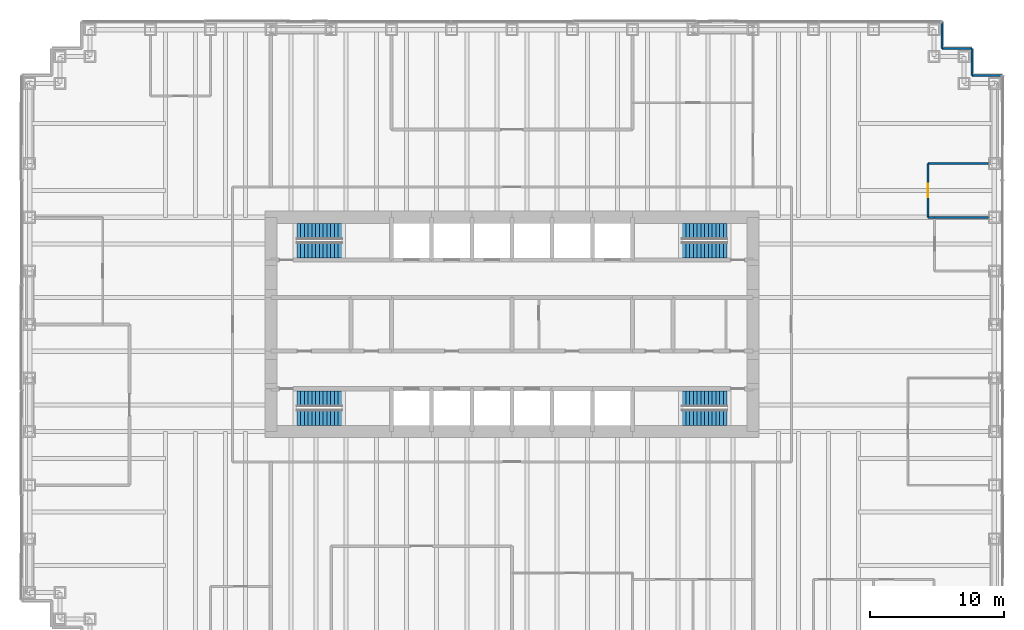
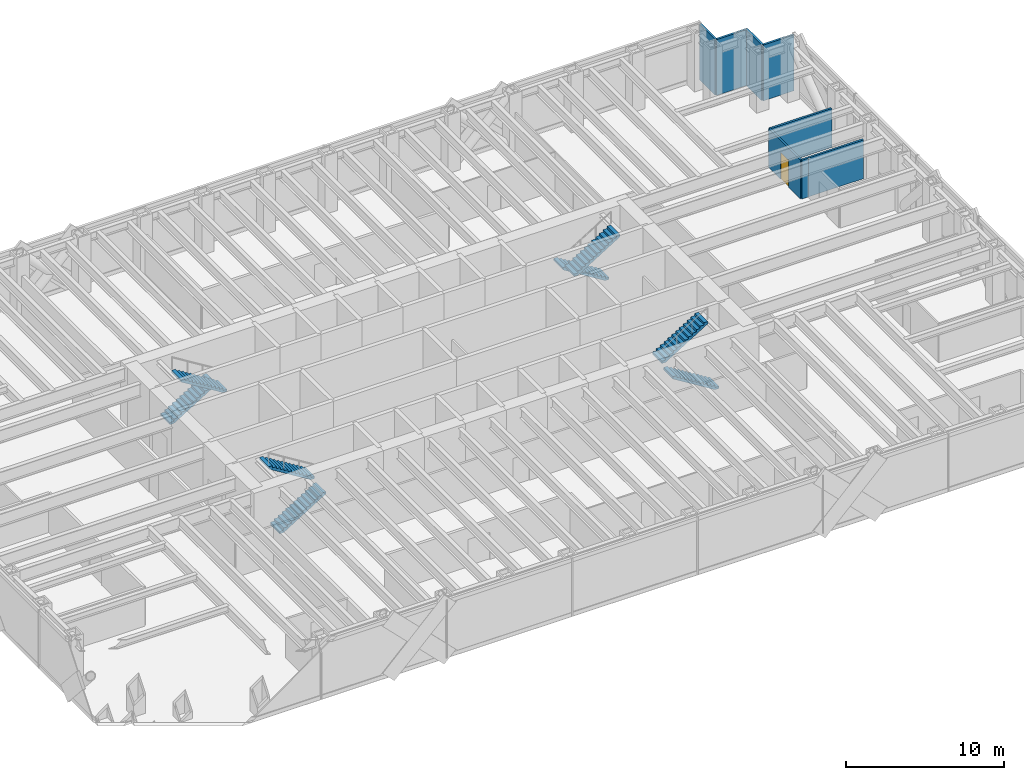
# One storey, part 12 of 13: 8 stair flights, 8 walls, 1 door, 1 opening, 4 elements without a shape of their own.
"""IFC4 building model written with IfcOpenShell, lengths in metres."""

from ifc_helpers import new_model, si_unit, direction, frame, frame_2d, origin, place, context, subcontext, project, spatial, polyline, rectangle, outline, extrude, material, layer, layer_set, type_object, element, fill, aggregate, save


model = new_model("IFC4")

# Units and contexts
model_context = context("Model", 3, precision=1e-05, world=origin(), true_north=direction((0.0, 1.0)))
body_context = subcontext(model_context, "Body", "Model", "MODEL_VIEW")
ifc_project = project(units=[si_unit("LENGTHUNIT", "METRE"), si_unit("AREAUNIT", "SQUARE_METRE"), si_unit("VOLUMEUNIT", "CUBIC_METRE"), si_unit("PLANEANGLEUNIT", "RADIAN"), si_unit("MASSUNIT", "GRAM", prefix="KILO")], contexts=[model_context])

# Site, building, storey
site_placement = place(None, origin())
site = spatial("IfcSite", under=ifc_project, at=site_placement, CompositionType="ELEMENT")
building_placement = place(site_placement, origin())
building = spatial("IfcBuilding", under=site, at=building_placement, Name="Rheinbord Bourse Tower", CompositionType="ELEMENT")
storey_placement = place(building_placement, frame((0.0, 0.0, 77.0)))
storey = spatial("IfcBuildingStorey", under=building, at=storey_placement, Name="L16", CompositionType="ELEMENT", Elevation=77.0)

# Walls
ifc_material_1 = material(Name="Black metal rainscreen panel", Category="aluminium")
ifc_layer_1 = layer(ifc_material_1, 0.14990234375)
ifc_layer_set_1 = layer_set([ifc_layer_1], Name="CORNER PIER CLADDING 150")
wall_type_1 = type_object("IfcWallType", Name="CORNER PIER CLADDING 150", PredefinedType="ELEMENTEDWALL", material=ifc_layer_set_1)
wall_1_placement = place(storey_placement, frame((72.60009765625, 42.60009765625, 0.0), z_axis=(0.0, 0.0, 1.0), x_axis=(-1.0, 0.0, 0.0)))
element("IfcWall", 1, at=wall_1_placement, inside=storey, type_object=wall_type_1, Name="Corner pier cladding L16 7", PredefinedType="ELEMENTEDWALL", context=body_context, shape_type="SweptSolid", body=[
    extrude(rectangle(XDim=2.25, YDim=0.14990234375, at=frame_2d((1.125, 0.0))), origin(), (0.0, 0.0, 1.0), 4.320068359375),
])
wall_2_placement = place(storey_placement, frame((70.35009765625, 42.60009765625, 0.0), z_axis=(0.0, 0.0, 1.0), x_axis=(0.0, 1.0, 0.0)))
element("IfcWall", 2, at=wall_2_placement, inside=storey, type_object=wall_type_1, Name="Corner pier cladding L16 8", PredefinedType="ELEMENTEDWALL", context=body_context, shape_type="SweptSolid", body=[
    extrude(rectangle(XDim=2.0, YDim=0.14990234375, at=frame_2d((1.0, 0.0))), origin(), (0.0, 0.0, 1.0), 4.320068359375),
])
wall_3_placement = place(storey_placement, frame((70.35009765625, 44.60009765625, 0.0), z_axis=(0.0, 0.0, 1.0), x_axis=(-1.0, 0.0, 0.0)))
element("IfcWall", 3, at=wall_3_placement, inside=storey, type_object=wall_type_1, Name="Corner pier cladding L16 9", PredefinedType="ELEMENTEDWALL", context=body_context, shape_type="SweptSolid", body=[
    extrude(rectangle(XDim=2.25, YDim=0.14990234375, at=frame_2d((1.125, 0.0))), origin(), (0.0, 0.0, 1.0), 4.320068359375),
])
wall_4_placement = place(storey_placement, frame((68.10009765625, 44.60009765625, 0.0), z_axis=(0.0, 0.0, 1.0), x_axis=(0.0, 1.0, 0.0)))
element("IfcWall", 4, at=wall_4_placement, inside=storey, type_object=wall_type_1, Name="Corner pier cladding L16 10", PredefinedType="ELEMENTEDWALL", context=body_context, shape_type="SweptSolid", body=[
    extrude(rectangle(XDim=2.0, YDim=0.14990234375, at=frame_2d((1.0, 0.0))), origin(), (0.0, 0.0, 1.0), 4.320068359375),
])
ifc_material_2 = material(Name="Gypsum board fire partition", Category="gypsum board")
ifc_layer_2 = layer(ifc_material_2, 0.14990234375)
ifc_layer_set_2 = layer_set([ifc_layer_2], Name="FIRE PARTITION 150 EI60")
wall_type_2 = type_object("IfcWallType", Name="FIRE PARTITION 150 EI60", PredefinedType="PARTITIONING", material=ifc_layer_set_2)
wall_5_placement = place(storey_placement, frame((67.550048828125, 32.0, 0.0), z_axis=(0.0, 0.0, 1.0), x_axis=(1.0, 0.0, 0.0)))
element("IfcWall", 5, at=wall_5_placement, inside=storey, type_object=wall_type_2, Name="Partition L16-15", PredefinedType="PARTITIONING", context=body_context, shape_type="SweptSolid", body=[
    extrude(rectangle(XDim=4.0, YDim=0.14990234375, at=frame_2d((2.0, 0.0))), origin(), (0.0, 0.0, 1.0), 3.0),
])
ifc_material_3 = material(Name="Gypsum board partition", Category="gypsum board")
ifc_layer_3 = layer(ifc_material_3, 0.14990234375)
ifc_layer_set_3 = layer_set([ifc_layer_3], Name="PARTITION 150")
wall_type_3 = type_object("IfcWallType", Name="PARTITION 150", PredefinedType="PARTITIONING", material=ifc_layer_set_3)
wall_6_placement = place(storey_placement, frame((67.050048828125, 32.0, 0.0), z_axis=(0.0, 0.0, 1.0), x_axis=(1.0, 0.0, 0.0)))
element("IfcWall", 6, at=wall_6_placement, inside=storey, type_object=wall_type_3, Name="Partition L16-14", PredefinedType="PARTITIONING", context=body_context, shape_type="SweptSolid", body=[
    extrude(rectangle(XDim=0.5, YDim=0.14990234375, at=frame_2d((0.25, 0.0))), origin(), (0.0, 0.0, 1.0), 3.0),
])
wall_7_placement = place(storey_placement, frame((67.050048828125, 36.0, 0.0), z_axis=(0.0, 0.0, 1.0), x_axis=(1.0, 0.0, 0.0)))
element("IfcWall", 7, at=wall_7_placement, inside=storey, type_object=wall_type_3, Name="Partition L16-17", PredefinedType="PARTITIONING", context=body_context, shape_type="SweptSolid", body=[
    extrude(rectangle(XDim=4.5, YDim=0.14990234375, at=frame_2d((2.25, 0.0))), origin(), (0.0, 0.0, 1.0), 3.0),
])

# Wall, opening, door
wall_8_placement = place(storey_placement, frame((67.050048828125, 32.0, 0.0), z_axis=(0.0, 0.0, 1.0), x_axis=(0.0, 1.0, 0.0)))
wall_8 = element("IfcWall", 8, at=wall_8_placement, inside=storey, type_object=wall_type_3, Name="Partition L16-42", PredefinedType="PARTITIONING", context=body_context, shape_type="SweptSolid", body=[
    extrude(rectangle(XDim=4.0, YDim=0.14990234375, at=frame_2d((2.0, 0.0))), origin(), (0.0, 0.0, 1.0), 3.0),
])
opening_placement = place(wall_8_placement, frame((1.5, 0.0, 0.0)))
opening = element("IfcOpeningElement", 9, at=opening_placement, cuts=wall_8, Name="Opening 16D12", PredefinedType="OPENING", context=body_context, shape_type="SweptSolid", body=[
    extrude(rectangle(XDim=1.0, YDim=2.10009765625, at=frame_2d((0.5, 1.050048828125))), frame((0.0, 0.0849609375, 0.0), z_axis=(0.0, -1.0, 0.0), x_axis=(1.0, 0.0, 0.0)), (0.0, 0.0, 1.0), 0.169921875),
])
ifc_material_4 = material(Name="Timber door", Category="wood")
door_type = type_object("IfcDoorType", Name="ROOM DOOR 1000", OperationType="SINGLE_SWING_LEFT", PredefinedType="DOOR", material=ifc_material_4)
door_placement = place(opening_placement, origin())
door = element("IfcDoor", 10, at=door_placement, inside=storey, type_object=door_type, Name="Pantry door L16", OperationType="SINGLE_SWING_LEFT", OverallHeight=2.10009765625, OverallWidth=1.0, PredefinedType="DOOR", context=body_context, shape_type="SweptSolid", body=[
    extrude(rectangle(XDim=1.0, YDim=2.10009765625, at=frame_2d((0.5, 1.050048828125))), frame((0.0, 0.02490234375, 0.0), z_axis=(0.0, -1.0, 0.0), x_axis=(1.0, 0.0, 0.0)), (0.0, 0.0, 1.0), 0.050048828125),
])
fill(opening, door)

# Stair, stair flights
ifc_material_5 = material(Name="Concrete C30/37", Category="concrete")
stair_type = type_object("IfcStairType", Name="CORE STAIR HALF TURN 4500", PredefinedType="HALF_TURN_STAIR", material=ifc_material_5)
stair_1_placement = place(storey_placement, origin())
stair_1 = element("IfcStair", 11, at=stair_1_placement, inside=storey, type_object=stair_type, Name="Stair ST1 L16, type CS4", PredefinedType="HALF_TURN_STAIR")
ifc_material_6 = material(Name="Concrete C30/37", Category="concrete")
stair_flight_type = type_object("IfcStairFlightType", Name="CORE STAIR FLIGHT 1200, 13 RISERS", PredefinedType="STRAIGHT", material=ifc_material_6)
stair_flight_1_placement = place(storey_placement, frame((19.949951171875, 17.050048828125, 0.0), z_axis=(0.0, 0.0, 1.0), x_axis=(1.0, 0.0, 0.0)))
stair_flight_1 = element("IfcStairFlight", 12, at=stair_flight_1_placement, type_object=stair_flight_type, Name="STAIR L16 ST1 F1", NumberOfRisers=13, NumberOfTreads=12, PredefinedType="STRAIGHT", RiserHeight=0.173076923, TreadLength=0.28, context=body_context, shape_type="SweptSolid", body=[
    extrude(outline(polyline([(0.0, 0.0), (0.0, 0.173095703125), (0.280029296875, 0.173095703125), (0.280029296875, 0.34619140625), (0.56005859375, 0.34619140625), (0.56005859375, 0.519287109375), (0.840087890625, 0.519287109375), (0.840087890625, 0.6923828125), (1.1201171875, 0.6923828125), (1.1201171875, 0.865478515625), (1.39990234375, 0.865478515625), (1.39990234375, 1.03857421875), (1.679931640625, 1.03857421875), (1.679931640625, 1.21142578125), (1.9599609375, 1.21142578125), (1.9599609375, 1.384521484375), (2.239990234375, 1.384521484375), (2.239990234375, 1.5576171875), (2.52001953125, 1.5576171875), (2.52001953125, 1.730712890625), (2.800048828125, 1.730712890625), (2.800048828125, 1.90380859375), (3.080078125, 1.90380859375), (3.080078125, 2.076904296875), (3.360107421875, 2.076904296875), (3.360107421875, 2.25), (3.360107421875, 1.900634765625), (0.28515625, 0.0), (0.0, 0.0)])), frame((0.0, 0.60009765625, 0.0), z_axis=(0.0, -1.0, 0.0), x_axis=(1.0, 0.0, 0.0)), (0.0, 0.0, 1.0), 1.199951171875),
])
stair_flight_2_placement = place(storey_placement, frame((23.31005859375, 18.449951171875, 2.25), z_axis=(0.0, 0.0, 1.0), x_axis=(-1.0, 0.0, 0.0)))
stair_flight_2 = element("IfcStairFlight", 13, at=stair_flight_2_placement, type_object=stair_flight_type, Name="STAIR L16 ST1 F2", NumberOfRisers=13, NumberOfTreads=12, PredefinedType="STRAIGHT", RiserHeight=0.173076923, TreadLength=0.28, context=body_context, shape_type="SweptSolid", body=[
    extrude(outline(polyline([(0.0, 0.0), (0.0, 0.173095703125), (0.280029296875, 0.173095703125), (0.280029296875, 0.34619140625), (0.56005859375, 0.34619140625), (0.56005859375, 0.519287109375), (0.840087890625, 0.519287109375), (0.840087890625, 0.6923828125), (1.1201171875, 0.6923828125), (1.1201171875, 0.865478515625), (1.39990234375, 0.865478515625), (1.39990234375, 1.03857421875), (1.679931640625, 1.03857421875), (1.679931640625, 1.21142578125), (1.9599609375, 1.21142578125), (1.9599609375, 1.384521484375), (2.239990234375, 1.384521484375), (2.239990234375, 1.5576171875), (2.52001953125, 1.5576171875), (2.52001953125, 1.730712890625), (2.800048828125, 1.730712890625), (2.800048828125, 1.90380859375), (3.080078125, 1.90380859375), (3.080078125, 2.076904296875), (3.360107421875, 2.076904296875), (3.360107421875, 2.25), (3.360107421875, 1.900634765625), (0.28515625, 0.0), (0.0, 0.0)])), frame((0.0, 0.60009765625, 0.0), z_axis=(0.0, -1.0, 0.0), x_axis=(1.0, 0.0, 0.0)), (0.0, 0.0, 1.0), 1.199951171875),
])
aggregate(stair_1, [stair_flight_1, stair_flight_2])

stair_2_placement = place(storey_placement, origin())
stair_2 = element("IfcStair", 14, at=stair_2_placement, inside=storey, type_object=stair_type, Name="Stair ST2 L16, type CS4", PredefinedType="HALF_TURN_STAIR")
stair_flight_3_placement = place(storey_placement, frame((19.949951171875, 30.949951171875, 0.0), z_axis=(0.0, 0.0, 1.0), x_axis=(1.0, 0.0, 0.0)))
stair_flight_3 = element("IfcStairFlight", 15, at=stair_flight_3_placement, type_object=stair_flight_type, Name="STAIR L16 ST2 F1", NumberOfRisers=13, NumberOfTreads=12, PredefinedType="STRAIGHT", RiserHeight=0.173076923, TreadLength=0.28, context=body_context, shape_type="SweptSolid", body=[
    extrude(outline(polyline([(0.0, 0.0), (0.0, 0.173095703125), (0.280029296875, 0.173095703125), (0.280029296875, 0.34619140625), (0.56005859375, 0.34619140625), (0.56005859375, 0.519287109375), (0.840087890625, 0.519287109375), (0.840087890625, 0.6923828125), (1.1201171875, 0.6923828125), (1.1201171875, 0.865478515625), (1.39990234375, 0.865478515625), (1.39990234375, 1.03857421875), (1.679931640625, 1.03857421875), (1.679931640625, 1.21142578125), (1.9599609375, 1.21142578125), (1.9599609375, 1.384521484375), (2.239990234375, 1.384521484375), (2.239990234375, 1.5576171875), (2.52001953125, 1.5576171875), (2.52001953125, 1.730712890625), (2.800048828125, 1.730712890625), (2.800048828125, 1.90380859375), (3.080078125, 1.90380859375), (3.080078125, 2.076904296875), (3.360107421875, 2.076904296875), (3.360107421875, 2.25), (3.360107421875, 1.900634765625), (0.28515625, 0.0), (0.0, 0.0)])), frame((0.0, 0.60009765625, 0.0), z_axis=(0.0, -1.0, 0.0), x_axis=(1.0, 0.0, 0.0)), (0.0, 0.0, 1.0), 1.199951171875),
])
stair_flight_4_placement = place(storey_placement, frame((23.31005859375, 29.550048828125, 2.25), z_axis=(0.0, 0.0, 1.0), x_axis=(-1.0, 0.0, 0.0)))
stair_flight_4 = element("IfcStairFlight", 16, at=stair_flight_4_placement, type_object=stair_flight_type, Name="STAIR L16 ST2 F2", NumberOfRisers=13, NumberOfTreads=12, PredefinedType="STRAIGHT", RiserHeight=0.173076923, TreadLength=0.28, context=body_context, shape_type="SweptSolid", body=[
    extrude(outline(polyline([(0.0, 0.0), (0.0, 0.173095703125), (0.280029296875, 0.173095703125), (0.280029296875, 0.34619140625), (0.56005859375, 0.34619140625), (0.56005859375, 0.519287109375), (0.840087890625, 0.519287109375), (0.840087890625, 0.6923828125), (1.1201171875, 0.6923828125), (1.1201171875, 0.865478515625), (1.39990234375, 0.865478515625), (1.39990234375, 1.03857421875), (1.679931640625, 1.03857421875), (1.679931640625, 1.21142578125), (1.9599609375, 1.21142578125), (1.9599609375, 1.384521484375), (2.239990234375, 1.384521484375), (2.239990234375, 1.5576171875), (2.52001953125, 1.5576171875), (2.52001953125, 1.730712890625), (2.800048828125, 1.730712890625), (2.800048828125, 1.90380859375), (3.080078125, 1.90380859375), (3.080078125, 2.076904296875), (3.360107421875, 2.076904296875), (3.360107421875, 2.25), (3.360107421875, 1.900634765625), (0.28515625, 0.0), (0.0, 0.0)])), frame((0.0, 0.60009765625, 0.0), z_axis=(0.0, -1.0, 0.0), x_axis=(1.0, 0.0, 0.0)), (0.0, 0.0, 1.0), 1.199951171875),
])
aggregate(stair_2, [stair_flight_3, stair_flight_4])

stair_3_placement = place(storey_placement, origin())
stair_3 = element("IfcStair", 17, at=stair_3_placement, inside=storey, type_object=stair_type, Name="Stair ST3 L16, type CS4", PredefinedType="HALF_TURN_STAIR")
stair_flight_5_placement = place(storey_placement, frame((52.050048828125, 17.050048828125, 0.0), z_axis=(0.0, 0.0, 1.0), x_axis=(-1.0, 0.0, 0.0)))
stair_flight_5 = element("IfcStairFlight", 18, at=stair_flight_5_placement, type_object=stair_flight_type, Name="STAIR L16 ST3 F1", NumberOfRisers=13, NumberOfTreads=12, PredefinedType="STRAIGHT", RiserHeight=0.173076923, TreadLength=0.28, context=body_context, shape_type="SweptSolid", body=[
    extrude(outline(polyline([(0.0, 0.0), (0.0, 0.173095703125), (0.280029296875, 0.173095703125), (0.280029296875, 0.34619140625), (0.56005859375, 0.34619140625), (0.56005859375, 0.519287109375), (0.840087890625, 0.519287109375), (0.840087890625, 0.6923828125), (1.1201171875, 0.6923828125), (1.1201171875, 0.865478515625), (1.39990234375, 0.865478515625), (1.39990234375, 1.03857421875), (1.679931640625, 1.03857421875), (1.679931640625, 1.21142578125), (1.9599609375, 1.21142578125), (1.9599609375, 1.384521484375), (2.239990234375, 1.384521484375), (2.239990234375, 1.5576171875), (2.52001953125, 1.5576171875), (2.52001953125, 1.730712890625), (2.800048828125, 1.730712890625), (2.800048828125, 1.90380859375), (3.080078125, 1.90380859375), (3.080078125, 2.076904296875), (3.360107421875, 2.076904296875), (3.360107421875, 2.25), (3.360107421875, 1.900634765625), (0.28515625, 0.0), (0.0, 0.0)])), frame((0.0, 0.60009765625, 0.0), z_axis=(0.0, -1.0, 0.0), x_axis=(1.0, 0.0, 0.0)), (0.0, 0.0, 1.0), 1.199951171875),
])
stair_flight_6_placement = place(storey_placement, frame((48.68994140625, 18.449951171875, 2.25), z_axis=(0.0, 0.0, 1.0), x_axis=(1.0, 0.0, 0.0)))
stair_flight_6 = element("IfcStairFlight", 19, at=stair_flight_6_placement, type_object=stair_flight_type, Name="STAIR L16 ST3 F2", NumberOfRisers=13, NumberOfTreads=12, PredefinedType="STRAIGHT", RiserHeight=0.173076923, TreadLength=0.28, context=body_context, shape_type="SweptSolid", body=[
    extrude(outline(polyline([(0.0, 0.0), (0.0, 0.173095703125), (0.280029296875, 0.173095703125), (0.280029296875, 0.34619140625), (0.56005859375, 0.34619140625), (0.56005859375, 0.519287109375), (0.840087890625, 0.519287109375), (0.840087890625, 0.6923828125), (1.1201171875, 0.6923828125), (1.1201171875, 0.865478515625), (1.39990234375, 0.865478515625), (1.39990234375, 1.03857421875), (1.679931640625, 1.03857421875), (1.679931640625, 1.21142578125), (1.9599609375, 1.21142578125), (1.9599609375, 1.384521484375), (2.239990234375, 1.384521484375), (2.239990234375, 1.5576171875), (2.52001953125, 1.5576171875), (2.52001953125, 1.730712890625), (2.800048828125, 1.730712890625), (2.800048828125, 1.90380859375), (3.080078125, 1.90380859375), (3.080078125, 2.076904296875), (3.360107421875, 2.076904296875), (3.360107421875, 2.25), (3.360107421875, 1.900634765625), (0.28515625, 0.0), (0.0, 0.0)])), frame((0.0, 0.60009765625, 0.0), z_axis=(0.0, -1.0, 0.0), x_axis=(1.0, 0.0, 0.0)), (0.0, 0.0, 1.0), 1.199951171875),
])
aggregate(stair_3, [stair_flight_5, stair_flight_6])

stair_4_placement = place(storey_placement, origin())
stair_4 = element("IfcStair", 20, at=stair_4_placement, inside=storey, type_object=stair_type, Name="Stair ST4 L16, type CS4", PredefinedType="HALF_TURN_STAIR")
stair_flight_7_placement = place(storey_placement, frame((52.050048828125, 30.949951171875, 0.0), z_axis=(0.0, 0.0, 1.0), x_axis=(-1.0, 0.0, 0.0)))
stair_flight_7 = element("IfcStairFlight", 21, at=stair_flight_7_placement, type_object=stair_flight_type, Name="STAIR L16 ST4 F1", NumberOfRisers=13, NumberOfTreads=12, PredefinedType="STRAIGHT", RiserHeight=0.173076923, TreadLength=0.28, context=body_context, shape_type="SweptSolid", body=[
    extrude(outline(polyline([(0.0, 0.0), (0.0, 0.173095703125), (0.280029296875, 0.173095703125), (0.280029296875, 0.34619140625), (0.56005859375, 0.34619140625), (0.56005859375, 0.519287109375), (0.840087890625, 0.519287109375), (0.840087890625, 0.6923828125), (1.1201171875, 0.6923828125), (1.1201171875, 0.865478515625), (1.39990234375, 0.865478515625), (1.39990234375, 1.03857421875), (1.679931640625, 1.03857421875), (1.679931640625, 1.21142578125), (1.9599609375, 1.21142578125), (1.9599609375, 1.384521484375), (2.239990234375, 1.384521484375), (2.239990234375, 1.5576171875), (2.52001953125, 1.5576171875), (2.52001953125, 1.730712890625), (2.800048828125, 1.730712890625), (2.800048828125, 1.90380859375), (3.080078125, 1.90380859375), (3.080078125, 2.076904296875), (3.360107421875, 2.076904296875), (3.360107421875, 2.25), (3.360107421875, 1.900634765625), (0.28515625, 0.0), (0.0, 0.0)])), frame((0.0, 0.60009765625, 0.0), z_axis=(0.0, -1.0, 0.0), x_axis=(1.0, 0.0, 0.0)), (0.0, 0.0, 1.0), 1.199951171875),
])
stair_flight_8_placement = place(storey_placement, frame((48.68994140625, 29.550048828125, 2.25), z_axis=(0.0, 0.0, 1.0), x_axis=(1.0, 0.0, 0.0)))
stair_flight_8 = element("IfcStairFlight", 22, at=stair_flight_8_placement, type_object=stair_flight_type, Name="STAIR L16 ST4 F2", NumberOfRisers=13, NumberOfTreads=12, PredefinedType="STRAIGHT", RiserHeight=0.173076923, TreadLength=0.28, context=body_context, shape_type="SweptSolid", body=[
    extrude(outline(polyline([(0.0, 0.0), (0.0, 0.173095703125), (0.280029296875, 0.173095703125), (0.280029296875, 0.34619140625), (0.56005859375, 0.34619140625), (0.56005859375, 0.519287109375), (0.840087890625, 0.519287109375), (0.840087890625, 0.6923828125), (1.1201171875, 0.6923828125), (1.1201171875, 0.865478515625), (1.39990234375, 0.865478515625), (1.39990234375, 1.03857421875), (1.679931640625, 1.03857421875), (1.679931640625, 1.21142578125), (1.9599609375, 1.21142578125), (1.9599609375, 1.384521484375), (2.239990234375, 1.384521484375), (2.239990234375, 1.5576171875), (2.52001953125, 1.5576171875), (2.52001953125, 1.730712890625), (2.800048828125, 1.730712890625), (2.800048828125, 1.90380859375), (3.080078125, 1.90380859375), (3.080078125, 2.076904296875), (3.360107421875, 2.076904296875), (3.360107421875, 2.25), (3.360107421875, 1.900634765625), (0.28515625, 0.0), (0.0, 0.0)])), frame((0.0, 0.60009765625, 0.0), z_axis=(0.0, -1.0, 0.0), x_axis=(1.0, 0.0, 0.0)), (0.0, 0.0, 1.0), 1.199951171875),
])
aggregate(stair_4, [stair_flight_7, stair_flight_8])

save(model, "model.ifc")
